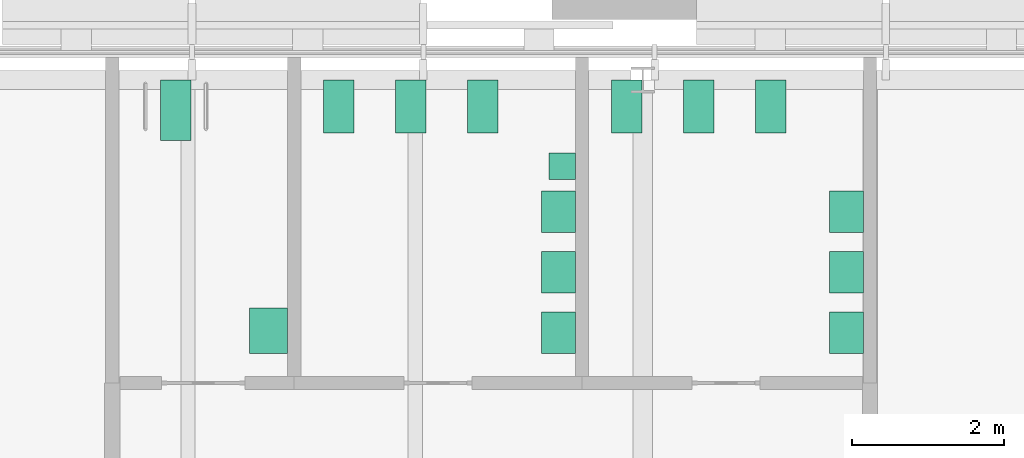
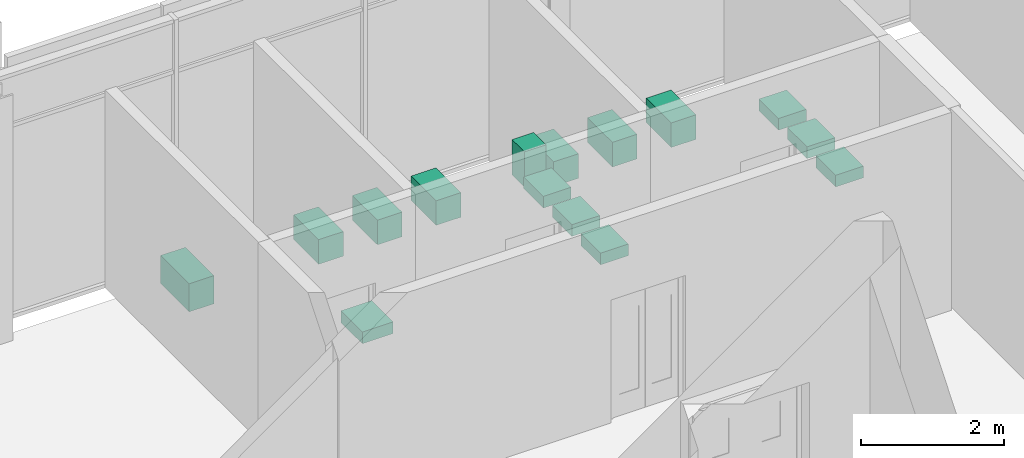
# One storey, part 37 of 37: 15 sanitary terminals.
"""IFC4 building model written with IfcOpenShell, lengths in metres."""

from ifc_helpers import new_model, si_unit, direction, frame, origin, origin_2d, place, context, subcontext, project, spatial, rectangle, extrude, material, type_object, element, save


model = new_model("IFC4")

# Units and contexts
model_context = context("Model", 3, precision=1e-05, world=origin(), true_north=direction((0.0, 1.0)))
body_context = subcontext(model_context, "Body", "Model", "MODEL_VIEW")
ifc_project = project(units=[si_unit("LENGTHUNIT", "METRE"), si_unit("AREAUNIT", "SQUARE_METRE"), si_unit("VOLUMEUNIT", "CUBIC_METRE"), si_unit("PLANEANGLEUNIT", "RADIAN"), si_unit("MASSUNIT", "GRAM", prefix="KILO")], contexts=[model_context])

# Site, building, storey
site_placement = place(None, origin())
site = spatial("IfcSite", under=ifc_project, at=site_placement, CompositionType="ELEMENT")
building_placement = place(site_placement, origin())
building = spatial("IfcBuilding", under=site, at=building_placement, Name="Baradari Gate Terminus", CompositionType="ELEMENT")
storey_placement = place(building_placement, frame((0.0, 0.0, 24.300048828125)))
storey = spatial("IfcBuildingStorey", under=building, at=storey_placement, Name="L05", CompositionType="ELEMENT", Elevation=24.300048828125)

# Sanitary terminals
ifc_material_1 = material(Name="Vitreous china", Category="ceramic")
sanitary_terminal_type_1 = type_object("IfcSanitaryTerminalType", Name="Accessible WC pan SW-5", PredefinedType="TOILETPAN", material=ifc_material_1)
sanitary_terminal_1_placement = place(storey_placement, frame((38.83740234375, 143.60009765625, 0.0), z_axis=(0.0, 0.0, 1.0), x_axis=(1.0, 0.0, 0.0)))
element("IfcSanitaryTerminal", 1, at=sanitary_terminal_1_placement, inside=storey, type_object=sanitary_terminal_type_1, Name="Accessible WC pan Accessible WC", PredefinedType="TOILETPAN", context=body_context, shape_type="SweptSolid", body=[
    extrude(rectangle(XDim=0.39990234375, YDim=0.800048828125, at=origin_2d()), origin(), (0.0, 0.0, 1.0), 0.47998046875),
])
ifc_material_2 = material(Name="Vitreous china", Category="ceramic")
sanitary_terminal_type_2 = type_object("IfcSanitaryTerminalType", Name="Accessible wash basin SW-6", PredefinedType="WASHHANDBASIN", material=ifc_material_2)
sanitary_terminal_2_placement = place(storey_placement, frame((40.0625, 140.6875, 0.75), z_axis=(0.0, 0.0, 1.0), x_axis=(1.0, 0.0, 0.0)))
element("IfcSanitaryTerminal", 2, at=sanitary_terminal_2_placement, inside=storey, type_object=sanitary_terminal_type_2, Name="Accessible wash basin Accessible WC", PredefinedType="WASHHANDBASIN", context=body_context, shape_type="SweptSolid", body=[
    extrude(rectangle(XDim=0.5, YDim=0.60009765625, at=origin_2d()), origin(), (0.0, 0.0, 1.0), 0.199951171875),
])
ifc_material_3 = material(Name="Vitreous china", Category="ceramic")
sanitary_terminal_type_3 = type_object("IfcSanitaryTerminalType", Name="Urinal SW-3", PredefinedType="URINAL", material=ifc_material_3)
sanitary_terminal_3_placement = place(storey_placement, frame((43.9375, 142.862548828125, 0.64990234375), z_axis=(0.0, 0.0, 1.0), x_axis=(1.0, 0.0, 0.0)))
element("IfcSanitaryTerminal", 3, at=sanitary_terminal_3_placement, inside=storey, type_object=sanitary_terminal_type_3, Name="Urinal Male WC", PredefinedType="URINAL", context=body_context, shape_type="SweptSolid", body=[
    extrude(rectangle(XDim=0.35009765625, YDim=0.35009765625, at=origin_2d()), origin(), (0.0, 0.0, 1.0), 0.60009765625),
])
ifc_material_4 = material(Name="Vitreous china", Category="ceramic")
sanitary_terminal_type_4 = type_object("IfcSanitaryTerminalType", Name="WC pan SW-1", PredefinedType="TOILETPAN", material=ifc_material_4)
for number, where, z_axis, x_axis, name in (
    (4, (40.987548828125, 143.64990234375, 0.0), (0.0, 0.0, 1.0), (1.0, 0.0, 0.0), "WC pan Male WC"),
    (5, (41.9375, 143.64990234375, 0.0), (0.0, 0.0, 1.0), (1.0, 0.0, 0.0), "WC pan Male WC"),
    (6, (42.887451171875, 143.64990234375, 0.0), (0.0, 0.0, 1.0), (1.0, 0.0, 0.0), "WC pan Male WC"),
    (7, (44.78759765625, 143.64990234375, 0.0), (0.0, 0.0, 1.0), (1.0, 0.0, 0.0), "WC pan Female WC"),
    (8, (45.737548828125, 143.64990234375, 0.0), (0.0, 0.0, 1.0), (1.0, 0.0, 0.0), "WC pan Female WC"),
    (9, (46.6875, 143.64990234375, 0.0), (0.0, 0.0, 1.0), (1.0, 0.0, 0.0), "WC pan Female WC"),
):
    element("IfcSanitaryTerminal", number, at=place(storey_placement, frame(where, z_axis=z_axis, x_axis=x_axis)), inside=storey, type_object=sanitary_terminal_type_4, Name=name, PredefinedType="TOILETPAN", context=body_context, shape_type="SweptSolid", body=[
        extrude(rectangle(XDim=0.39990234375, YDim=0.699951171875, at=origin_2d()), origin(), (0.0, 0.0, 1.0), 0.419921875),
    ])
ifc_material_5 = material(Name="Vitreous china", Category="ceramic")
sanitary_terminal_type_5 = type_object("IfcSanitaryTerminalType", Name="Wash basin SW-2", PredefinedType="WASHHANDBASIN", material=ifc_material_5)
for number, where, z_axis, x_axis, name in (
    (10, (43.887451171875, 140.66259765625, 0.75), (0.0, 0.0, 1.0), (1.0, 0.0, 0.0), "Wash basin Male WC"),
    (11, (43.887451171875, 141.46240234375, 0.75), (0.0, 0.0, 1.0), (1.0, 0.0, 0.0), "Wash basin Male WC"),
    (12, (43.887451171875, 142.262451171875, 0.75), (0.0, 0.0, 1.0), (1.0, 0.0, 0.0), "Wash basin Male WC"),
    (13, (47.6875, 140.66259765625, 0.75), (0.0, 0.0, 1.0), (1.0, 0.0, 0.0), "Wash basin Female WC"),
    (14, (47.6875, 141.46240234375, 0.75), (0.0, 0.0, 1.0), (1.0, 0.0, 0.0), "Wash basin Female WC"),
    (15, (47.6875, 142.262451171875, 0.75), (0.0, 0.0, 1.0), (1.0, 0.0, 0.0), "Wash basin Female WC"),
):
    element("IfcSanitaryTerminal", number, at=place(storey_placement, frame(where, z_axis=z_axis, x_axis=x_axis)), inside=storey, type_object=sanitary_terminal_type_5, Name=name, PredefinedType="WASHHANDBASIN", context=body_context, shape_type="SweptSolid", body=[
        extrude(rectangle(XDim=0.449951171875, YDim=0.550048828125, at=origin_2d()), origin(), (0.0, 0.0, 1.0), 0.199951171875),
    ])

save(model, "model.ifc")
